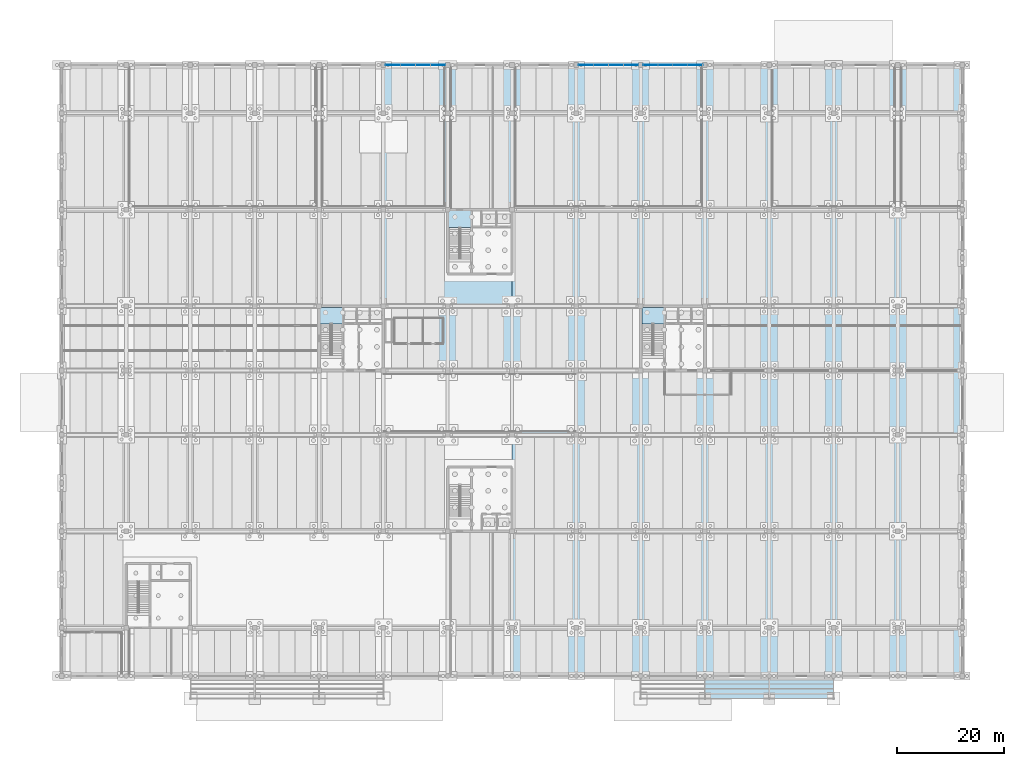
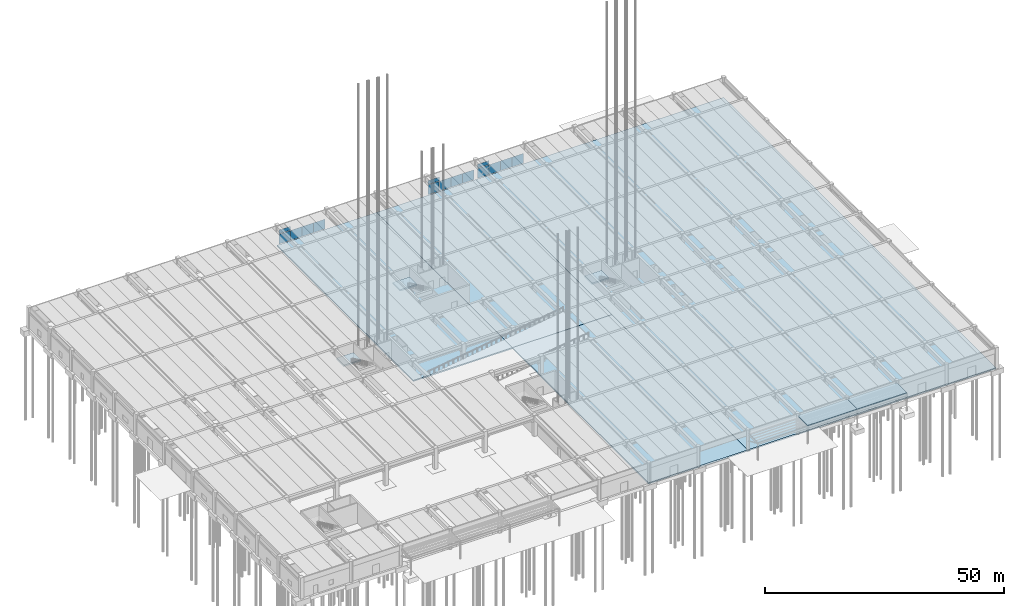
# One storey, part 24 of 59: 15 plates, 9 slabs, 6 elements without a shape of their own.
"""IFC4 building model written with IfcOpenShell, lengths in metres."""

from ifc_helpers import new_model, si_unit, direction, frame, origin, origin_2d, place, context, subcontext, project, spatial, polyline, rectangle, outline, extrude, material, layer, layer_set, type_object, element, aggregate, save


model = new_model("IFC4")

# Units and contexts
model_context = context("Model", 3, precision=1e-05, world=origin(), true_north=direction((0.0, 1.0)))
body_context = subcontext(model_context, "Body", "Model", "MODEL_VIEW")
ifc_project = project(units=[si_unit("LENGTHUNIT", "METRE"), si_unit("AREAUNIT", "SQUARE_METRE"), si_unit("VOLUMEUNIT", "CUBIC_METRE"), si_unit("PLANEANGLEUNIT", "RADIAN"), si_unit("MASSUNIT", "GRAM", prefix="KILO")], contexts=[model_context])

# Site, building, storey
site_placement = place(None, origin())
site = spatial("IfcSite", under=ifc_project, at=site_placement, CompositionType="ELEMENT")
building_placement = place(site_placement, origin())
building = spatial("IfcBuilding", under=site, at=building_placement, Name="Girod Span Mobility Hub", CompositionType="ELEMENT")
storey_placement = place(building_placement, origin())
storey = spatial("IfcBuildingStorey", under=building, at=storey_placement, Name="L00", CompositionType="ELEMENT", Elevation=0.0)

# Curtain wall, plate
ifc_material_1 = material(Name="Thermally Broken Anodised Aluminium", Category="aluminium")
curtain_wall_type = type_object("IfcCurtainWallType", Name="CW-1115X385", PredefinedType="USERDEFINED", material=ifc_material_1)
curtain_wall_1_placement = place(storey_placement, origin())
curtain_wall_1 = element("IfcCurtainWall", 1, at=curtain_wall_1_placement, inside=storey, type_object=curtain_wall_type, Name="Concourse Storefront CW-L00-N06 L00", ObjectType="CONCOURSE STOREFRONT", PredefinedType="USERDEFINED")
ifc_material_2 = material(Name="Double Low-E Insulated Glazing", Category="glass")
ifc_layer_1 = layer(ifc_material_2, 0.0380859375)
ifc_layer_set_1 = layer_set([ifc_layer_1], Name="Double Low-E Insulated Glazing")
plate_type_1 = type_object("IfcPlateType", Name="PLT-SPN-2719X998X38", PredefinedType="CURTAIN_PANEL", material=ifc_layer_set_1)
plate_1_placement = place(storey_placement, frame((61.817138671875, 114.0, 2.77197265625), z_axis=(0.0, 0.0, 1.0), x_axis=(1.0, 0.0, 0.0)))
plate_1 = element("IfcPlate", 2, at=plate_1_placement, type_object=plate_type_1, Name="Spandrel Glazing Panel CW-L00-N06-S1", PredefinedType="CURTAIN_PANEL", context=body_context, shape_type="SweptSolid", body=[
    extrude(rectangle(XDim=2.724609375, YDim=0.0380859375, at=origin_2d()), origin(), (0.0, 0.0, 1.0), 0.9580078125),
])

curtain_wall_2_placement = place(storey_placement, origin())
curtain_wall_2 = element("IfcCurtainWall", 3, at=curtain_wall_2_placement, inside=storey, type_object=curtain_wall_type, Name="Concourse Storefront CW-L00-N09 L00", ObjectType="CONCOURSE STOREFRONT", PredefinedType="USERDEFINED")
plate_2_placement = place(storey_placement, frame((97.817138671875, 114.0, 2.77197265625), z_axis=(0.0, 0.0, 1.0), x_axis=(1.0, 0.0, 0.0)))
plate_2 = element("IfcPlate", 4, at=plate_2_placement, type_object=plate_type_1, Name="Spandrel Glazing Panel CW-L00-N09-S1", PredefinedType="CURTAIN_PANEL", context=body_context, shape_type="SweptSolid", body=[
    extrude(rectangle(XDim=2.724609375, YDim=0.0380859375, at=origin_2d()), origin(), (0.0, 0.0, 1.0), 0.9580078125),
])

curtain_wall_3_placement = place(storey_placement, origin())
curtain_wall_3 = element("IfcCurtainWall", 5, at=curtain_wall_3_placement, inside=storey, type_object=curtain_wall_type, Name="Concourse Storefront CW-L00-N10 L00", ObjectType="CONCOURSE STOREFRONT", PredefinedType="USERDEFINED")
plate_3_placement = place(storey_placement, frame((109.817138671875, 114.0, 2.77197265625), z_axis=(0.0, 0.0, 1.0), x_axis=(1.0, 0.0, 0.0)))
plate_3 = element("IfcPlate", 6, at=plate_3_placement, type_object=plate_type_1, Name="Spandrel Glazing Panel CW-L00-N10-S1", PredefinedType="CURTAIN_PANEL", context=body_context, shape_type="SweptSolid", body=[
    extrude(rectangle(XDim=2.724609375, YDim=0.0380859375, at=origin_2d()), origin(), (0.0, 0.0, 1.0), 0.9580078125),
])

# Plate
ifc_material_3 = material(Name="Double Low-E Insulated Glazing", Category="glass")
ifc_layer_2 = layer(ifc_material_3, 0.02587890625)
ifc_layer_set_2 = layer_set([ifc_layer_2], Name="Double Low-E Insulated Glazing")
plate_type_2 = type_object("IfcPlateType", Name="PLT-VIS-2719X2772X26", PredefinedType="CURTAIN_PANEL", material=ifc_layer_set_2)
plate_4_placement = place(storey_placement, frame((61.817138671875, 114.0, 0.14013671875), z_axis=(0.0, 0.0, 1.0), x_axis=(1.0, 0.0, 0.0)))
plate_4 = element("IfcPlate", 7, at=plate_4_placement, type_object=plate_type_2, Name="Vision Glazing Panel CW-L00-N06-V1", PredefinedType="CURTAIN_PANEL", context=body_context, shape_type="SweptSolid", body=[
    extrude(rectangle(XDim=2.724609375, YDim=0.02587890625, at=origin_2d()), origin(), (0.0, 0.0, 1.0), 2.511962890625),
])

plate_5_placement = place(storey_placement, frame((64.605712890625, 114.0, 0.14013671875), z_axis=(0.0, 0.0, 1.0), x_axis=(1.0, 0.0, 0.0)))
plate_5 = element("IfcPlate", 8, at=plate_5_placement, type_object=plate_type_2, Name="Vision Glazing Panel CW-L00-N06-V2", PredefinedType="CURTAIN_PANEL", context=body_context, shape_type="SweptSolid", body=[
    extrude(rectangle(XDim=2.724609375, YDim=0.02587890625, at=origin_2d()), origin(), (0.0, 0.0, 1.0), 2.511962890625),
])

plate_6_placement = place(storey_placement, frame((67.394287109375, 114.0, 0.14013671875), z_axis=(0.0, 0.0, 1.0), x_axis=(1.0, 0.0, 0.0)))
plate_6 = element("IfcPlate", 9, at=plate_6_placement, type_object=plate_type_2, Name="Vision Glazing Panel CW-L00-N06-V3", PredefinedType="CURTAIN_PANEL", context=body_context, shape_type="SweptSolid", body=[
    extrude(rectangle(XDim=2.724609375, YDim=0.02587890625, at=origin_2d()), origin(), (0.0, 0.0, 1.0), 2.511962890625),
])

plate_7_placement = place(storey_placement, frame((70.182861328125, 114.0, 0.14013671875), z_axis=(0.0, 0.0, 1.0), x_axis=(1.0, 0.0, 0.0)))
plate_7 = element("IfcPlate", 10, at=plate_7_placement, type_object=plate_type_2, Name="Vision Glazing Panel CW-L00-N06-V4", PredefinedType="CURTAIN_PANEL", context=body_context, shape_type="SweptSolid", body=[
    extrude(rectangle(XDim=2.724609375, YDim=0.02587890625, at=origin_2d()), origin(), (0.0, 0.0, 1.0), 2.511962890625),
])

aggregate(curtain_wall_1, [plate_4, plate_1, plate_5, plate_6, plate_7])

plate_8_placement = place(storey_placement, frame((97.817138671875, 114.0, 0.14013671875), z_axis=(0.0, 0.0, 1.0), x_axis=(1.0, 0.0, 0.0)))
plate_8 = element("IfcPlate", 11, at=plate_8_placement, type_object=plate_type_2, Name="Vision Glazing Panel CW-L00-N09-V1", PredefinedType="CURTAIN_PANEL", context=body_context, shape_type="SweptSolid", body=[
    extrude(rectangle(XDim=2.724609375, YDim=0.02587890625, at=origin_2d()), origin(), (0.0, 0.0, 1.0), 2.511962890625),
])

plate_9_placement = place(storey_placement, frame((100.605712890625, 114.0, 0.14013671875), z_axis=(0.0, 0.0, 1.0), x_axis=(1.0, 0.0, 0.0)))
plate_9 = element("IfcPlate", 12, at=plate_9_placement, type_object=plate_type_2, Name="Vision Glazing Panel CW-L00-N09-V2", PredefinedType="CURTAIN_PANEL", context=body_context, shape_type="SweptSolid", body=[
    extrude(rectangle(XDim=2.724609375, YDim=0.02587890625, at=origin_2d()), origin(), (0.0, 0.0, 1.0), 2.511962890625),
])

plate_10_placement = place(storey_placement, frame((103.394287109375, 114.0, 0.14013671875), z_axis=(0.0, 0.0, 1.0), x_axis=(1.0, 0.0, 0.0)))
plate_10 = element("IfcPlate", 13, at=plate_10_placement, type_object=plate_type_2, Name="Vision Glazing Panel CW-L00-N09-V3", PredefinedType="CURTAIN_PANEL", context=body_context, shape_type="SweptSolid", body=[
    extrude(rectangle(XDim=2.724609375, YDim=0.02587890625, at=origin_2d()), origin(), (0.0, 0.0, 1.0), 2.511962890625),
])

plate_11_placement = place(storey_placement, frame((106.182861328125, 114.0, 0.14013671875), z_axis=(0.0, 0.0, 1.0), x_axis=(1.0, 0.0, 0.0)))
plate_11 = element("IfcPlate", 14, at=plate_11_placement, type_object=plate_type_2, Name="Vision Glazing Panel CW-L00-N09-V4", PredefinedType="CURTAIN_PANEL", context=body_context, shape_type="SweptSolid", body=[
    extrude(rectangle(XDim=2.724609375, YDim=0.02587890625, at=origin_2d()), origin(), (0.0, 0.0, 1.0), 2.511962890625),
])

aggregate(curtain_wall_2, [plate_8, plate_2, plate_9, plate_10, plate_11])

plate_12_placement = place(storey_placement, frame((109.817138671875, 114.0, 0.14013671875), z_axis=(0.0, 0.0, 1.0), x_axis=(1.0, 0.0, 0.0)))
plate_12 = element("IfcPlate", 15, at=plate_12_placement, type_object=plate_type_2, Name="Vision Glazing Panel CW-L00-N10-V1", PredefinedType="CURTAIN_PANEL", context=body_context, shape_type="SweptSolid", body=[
    extrude(rectangle(XDim=2.724609375, YDim=0.02587890625, at=origin_2d()), origin(), (0.0, 0.0, 1.0), 2.511962890625),
])

plate_13_placement = place(storey_placement, frame((112.605712890625, 114.0, 0.14013671875), z_axis=(0.0, 0.0, 1.0), x_axis=(1.0, 0.0, 0.0)))
plate_13 = element("IfcPlate", 16, at=plate_13_placement, type_object=plate_type_2, Name="Vision Glazing Panel CW-L00-N10-V2", PredefinedType="CURTAIN_PANEL", context=body_context, shape_type="SweptSolid", body=[
    extrude(rectangle(XDim=2.724609375, YDim=0.02587890625, at=origin_2d()), origin(), (0.0, 0.0, 1.0), 2.511962890625),
])

plate_14_placement = place(storey_placement, frame((115.394287109375, 114.0, 0.14013671875), z_axis=(0.0, 0.0, 1.0), x_axis=(1.0, 0.0, 0.0)))
plate_14 = element("IfcPlate", 17, at=plate_14_placement, type_object=plate_type_2, Name="Vision Glazing Panel CW-L00-N10-V3", PredefinedType="CURTAIN_PANEL", context=body_context, shape_type="SweptSolid", body=[
    extrude(rectangle(XDim=2.724609375, YDim=0.02587890625, at=origin_2d()), origin(), (0.0, 0.0, 1.0), 2.511962890625),
])

plate_15_placement = place(storey_placement, frame((118.182861328125, 114.0, 0.14013671875), z_axis=(0.0, 0.0, 1.0), x_axis=(1.0, 0.0, 0.0)))
plate_15 = element("IfcPlate", 18, at=plate_15_placement, type_object=plate_type_2, Name="Vision Glazing Panel CW-L00-N10-V4", PredefinedType="CURTAIN_PANEL", context=body_context, shape_type="SweptSolid", body=[
    extrude(rectangle(XDim=2.724609375, YDim=0.02587890625, at=origin_2d()), origin(), (0.0, 0.0, 1.0), 2.511962890625),
])

aggregate(curtain_wall_3, [plate_12, plate_3, plate_13, plate_14, plate_15])

# Slabs
ifc_material_4 = material(Name="Concrete C40/50", Category="concrete")
ifc_layer_3 = layer(ifc_material_4, 0.320068359375)
ifc_layer_set_3 = layer_set([ifc_layer_3], Name="Concrete C40/50")
slab_type_1 = type_object("IfcSlabType", Name="SL-BASE-320", PredefinedType="BASESLAB", material=ifc_layer_set_3)
slab_1_placement = place(storey_placement, frame((0.0, 0.0, -0.320068359375)))
element("IfcSlab", 19, at=slab_1_placement, inside=storey, type_object=slab_type_1, Name="Floor Slab L00 Sector CNW", PredefinedType="BASESLAB", context=body_context, shape_type="SweptSolid", body=[
    extrude(outline(polyline([(84.0, 114.0), (84.0, 57.0), (60.0, 57.0), (60.0, 114.0), (84.0, 114.0)])), origin(), (0.0, 0.0, 1.0), 0.320068359375),
])
slab_2_placement = place(storey_placement, frame((0.0, 0.0, -0.320068359375)))
element("IfcSlab", 20, at=slab_2_placement, inside=storey, type_object=slab_type_1, Name="Floor Slab L00 Sector CNE", PredefinedType="BASESLAB", context=body_context, shape_type="SweptSolid", body=[
    extrude(outline(polyline([(108.0, 114.0), (108.0, 57.0), (84.0, 57.0), (84.0, 114.0), (108.0, 114.0)])), origin(), (0.0, 0.0, 1.0), 0.320068359375),
])
ifc_material_5 = material(Name="Concrete C40/50", Category="concrete")
ifc_layer_4 = layer(ifc_material_5, 0.35009765625)
ifc_layer_set_4 = layer_set([ifc_layer_4], Name="Concrete C40/50")
slab_type_2 = type_object("IfcSlabType", Name="SL-BASE-350", PredefinedType="BASESLAB", material=ifc_layer_set_4)
slab_3_placement = place(storey_placement, frame((0.0, 0.0, -0.35009765625)))
element("IfcSlab", 21, at=slab_3_placement, inside=storey, type_object=slab_type_2, Name="Floor Slab L00 Sector CSE", PredefinedType="BASESLAB", context=body_context, shape_type="SweptSolid", body=[
    extrude(outline(polyline([(84.0, 0.0), (84.0, 57.0), (108.0, 57.0), (108.0, 0.0), (84.0, 0.0)])), origin(), (0.0, 0.0, 1.0), 0.35009765625),
])
slab_4_placement = place(storey_placement, frame((0.0, 0.0, -0.35009765625)))
element("IfcSlab", 22, at=slab_4_placement, inside=storey, type_object=slab_type_2, Name="Floor Slab L00 Sector E", PredefinedType="BASESLAB", context=body_context, shape_type="SweptSolid", body=[
    extrude(outline(polyline([(168.0, 114.0), (168.0, 0.0), (108.0, 0.0), (108.0, 114.0), (168.0, 114.0)])), origin(), (0.0, 0.0, 1.0), 0.35009765625),
])
ifc_material_6 = material(Name="Concrete C40/50", Category="concrete")
ifc_layer_5 = layer(ifc_material_6, 0.179931640625)
ifc_layer_set_5 = layer_set([ifc_layer_5], Name="Concrete C40/50")
slab_type_3 = type_object("IfcSlabType", Name="SL-CNPY-180", PredefinedType="USERDEFINED", material=ifc_layer_set_5)
slab_5_placement = place(storey_placement, frame((0.0, 0.0, 4.419921875)))
element("IfcSlab", 23, at=slab_5_placement, inside=storey, type_object=slab_type_3, Name="South Boulevard Transit Canopy E-2", ObjectType="BOULEVARD CANOPY", PredefinedType="USERDEFINED", context=body_context, shape_type="SweptSolid", body=[
    extrude(outline(polyline([(132.0, -4.199951171875), (132.0, 0.0), (120.0, 0.0), (120.0, -4.199951171875), (132.0, -4.199951171875)])), origin(), (0.0, 0.0, 1.0), 0.18017578125),
])
slab_6_placement = place(storey_placement, frame((0.0, 0.0, 4.419921875)))
element("IfcSlab", 24, at=slab_6_placement, inside=storey, type_object=slab_type_3, Name="South Boulevard Transit Canopy E-3", ObjectType="BOULEVARD CANOPY", PredefinedType="USERDEFINED", context=body_context, shape_type="SweptSolid", body=[
    extrude(outline(polyline([(144.0, -4.199951171875), (144.0, 0.0), (132.0, 0.0), (132.0, -4.199951171875), (144.0, -4.199951171875)])), origin(), (0.0, 0.0, 1.0), 0.18017578125),
])

# Stair, slab
ifc_material_7 = material(Name="Concrete C40/50", Category="concrete")
stair_type = type_object("IfcStairType", Name="STR-5400-W1860", PredefinedType="HALF_TURN_STAIR", material=ifc_material_7)
stair_1_placement = place(storey_placement, origin())
stair_1 = element("IfcStair", 25, at=stair_1_placement, inside=storey, type_object=stair_type, Name="Exit Stair ST-1 L00", PredefinedType="HALF_TURN_STAIR")
ifc_material_8 = material(Name="Concrete C40/50", Category="concrete")
ifc_layer_6 = layer(ifc_material_8, 0.3798828125)
ifc_layer_set_6 = layer_set([ifc_layer_6], Name="Concrete C40/50")
slab_type_4 = type_object("IfcSlabType", Name="SL-LND-380", PredefinedType="LANDING", material=ifc_layer_set_6)
slab_7_placement = place(storey_placement, frame((0.0, 0.0, 2.320068359375)))
slab_7 = element("IfcSlab", 26, at=slab_7_placement, type_object=slab_type_4, Name="Stair ST-1 Half-Landing L00", PredefinedType="LANDING", context=body_context, shape_type="SweptSolid", body=[
    extrude(outline(polyline([(52.3349609375, 65.7060546875), (52.3349609375, 68.784912109375), (48.215087890625, 68.784912109375), (48.215087890625, 65.7060546875), (52.3349609375, 65.7060546875)])), origin(), (0.0, 0.0, 1.0), 0.3798828125),
])
aggregate(stair_1, [slab_7])

stair_2_placement = place(storey_placement, origin())
stair_2 = element("IfcStair", 27, at=stair_2_placement, inside=storey, type_object=stair_type, Name="Exit Stair ST-2 L00", PredefinedType="HALF_TURN_STAIR")
slab_8_placement = place(storey_placement, frame((0.0, 0.0, 2.320068359375)))
slab_8 = element("IfcSlab", 28, at=slab_8_placement, type_object=slab_type_4, Name="Stair ST-2 Half-Landing L00", PredefinedType="LANDING", context=body_context, shape_type="SweptSolid", body=[
    extrude(outline(polyline([(112.3349609375, 65.7060546875), (112.3349609375, 68.784912109375), (108.215087890625, 68.784912109375), (108.215087890625, 65.7060546875), (112.3349609375, 65.7060546875)])), origin(), (0.0, 0.0, 1.0), 0.3798828125),
])
aggregate(stair_2, [slab_8])

stair_3_placement = place(storey_placement, origin())
stair_3 = element("IfcStair", 29, at=stair_3_placement, inside=storey, type_object=stair_type, Name="Exit Stair ST-4 L00", PredefinedType="HALF_TURN_STAIR")
slab_9_placement = place(storey_placement, frame((0.0, 0.0, 2.320068359375)))
slab_9 = element("IfcSlab", 30, at=slab_9_placement, type_object=slab_type_4, Name="Stair ST-4 Half-Landing L00", PredefinedType="LANDING", context=body_context, shape_type="SweptSolid", body=[
    extrude(outline(polyline([(76.3349609375, 83.7060546875), (76.3349609375, 86.81005859375), (72.18994140625, 86.81005859375), (72.18994140625, 83.7060546875), (76.3349609375, 83.7060546875)])), origin(), (0.0, 0.0, 1.0), 0.3798828125),
])
aggregate(stair_3, [slab_9])

save(model, "model.ifc")
